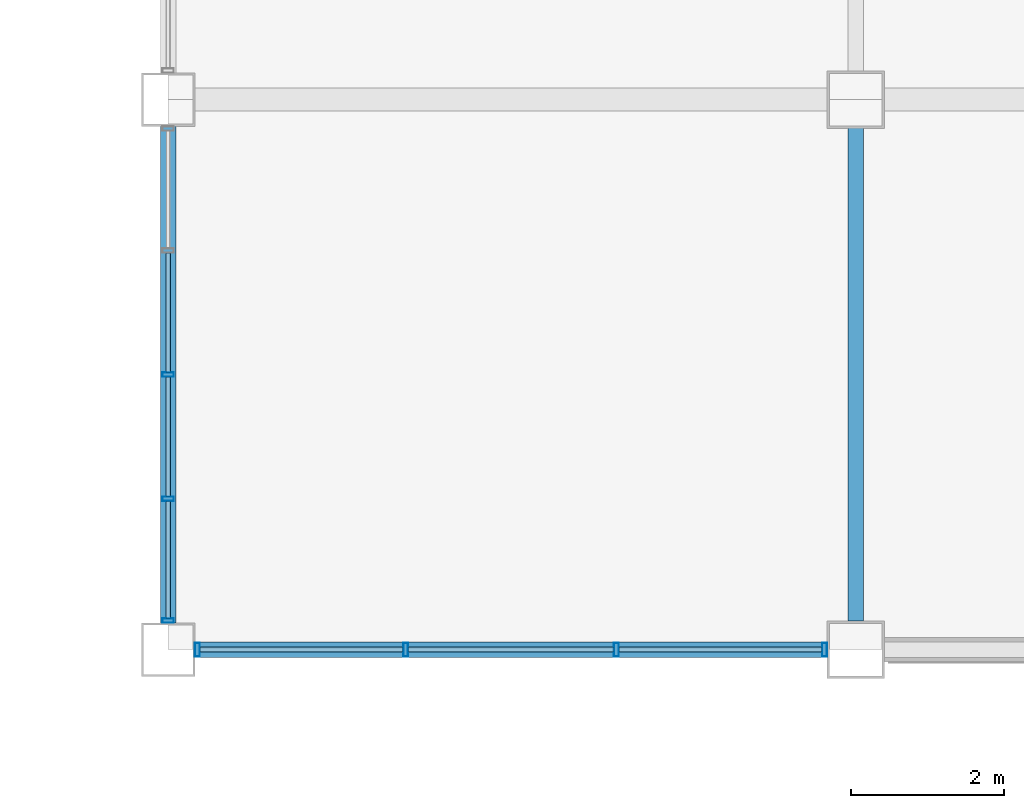
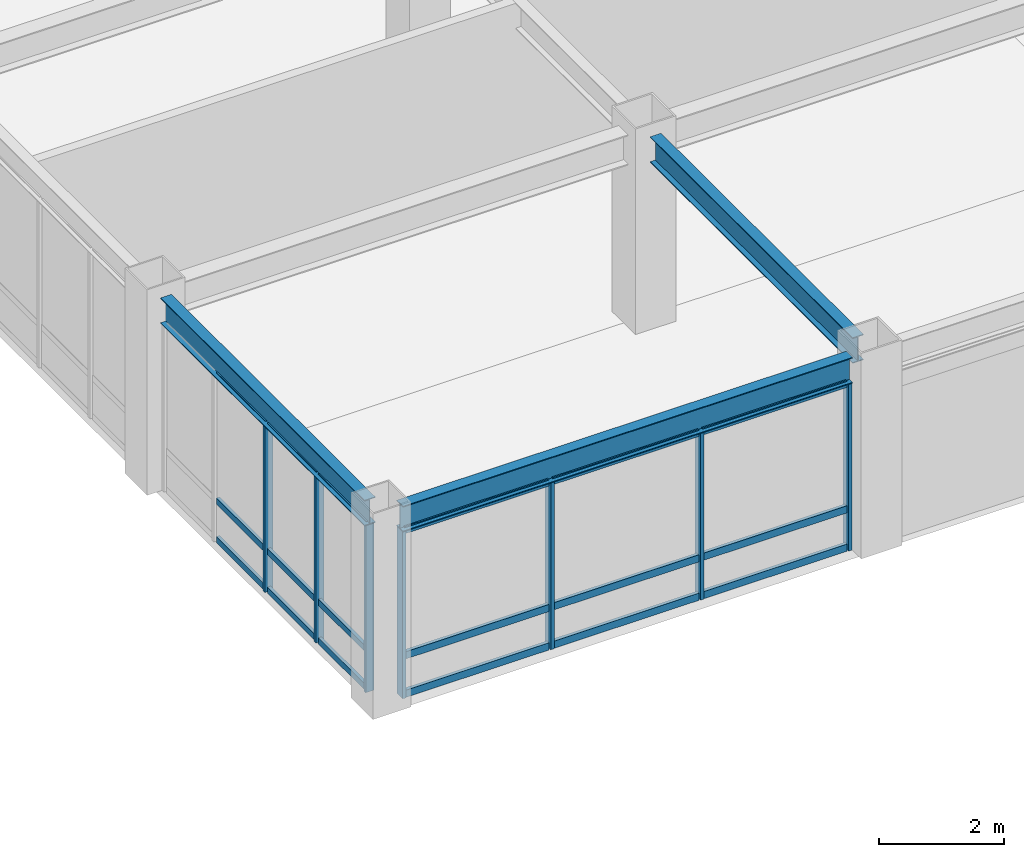
# One storey, part 47 of 122: 25 members, 3 beams, 2 elements without a shape of their own.
"""IFC4 building model written with IfcOpenShell, lengths in metres."""

from ifc_helpers import new_model, si_unit, direction, frame, origin, origin_2d, place, context, subcontext, project, spatial, hollow_rectangle, i_section, extrude, material, material_profile, profile_set, type_object, element, aggregate, save


model = new_model("IFC4")

# Units and contexts
model_context = context("Model", 3, precision=1e-05, world=origin(), true_north=direction((0.0, 1.0)))
body_context = subcontext(model_context, "Body", "Model", "MODEL_VIEW")
ifc_project = project(units=[si_unit("LENGTHUNIT", "METRE"), si_unit("AREAUNIT", "SQUARE_METRE"), si_unit("VOLUMEUNIT", "CUBIC_METRE"), si_unit("PLANEANGLEUNIT", "RADIAN"), si_unit("MASSUNIT", "GRAM", prefix="KILO")], contexts=[model_context])

# Site, building, storey
site_placement = place(None, origin())
site = spatial("IfcSite", under=ifc_project, at=site_placement, CompositionType="ELEMENT")
building_placement = place(site_placement, origin())
building = spatial("IfcBuilding", under=site, at=building_placement, Name="Kazanami Central Library", CompositionType="ELEMENT")
storey_placement = place(building_placement, frame((0.0, 0.0, 4.800048828125)))
storey = spatial("IfcBuildingStorey", under=building, at=storey_placement, Name="L02", CompositionType="ELEMENT", Elevation=4.800048828125)

# Beams
ifc_material_1 = material(Name="Steel SN490B (325 MPa)", Category="steel")
ifc_material_profile_1 = material_profile(ifc_material_1, i_section(OverallWidth=0.199951171875, OverallDepth=0.5, WebThickness=0.010009765625, FlangeThickness=0.01611328125, at=origin_2d()), Name="H-500x200x10x16")
ifc_profile_set_1 = profile_set([ifc_material_profile_1], Name="Steel SN490B (325 MPa)")
beam_type_1 = type_object("IfcBeamType", Name="BM-G-Y2", PredefinedType="BEAM", material=ifc_profile_set_1)
beam_1_placement = place(storey_placement, frame((126.0, 43.572998046875, 3.5048828125), z_axis=(0.0, 1.0, 0.0), x_axis=(-1.0, 0.0, 0.0)))
element("IfcBeam", 1, at=beam_1_placement, inside=storey, type_object=beam_type_1, Name="Girder G-Y2 L02 15/G-H", PredefinedType="BEAM", context=body_context, shape_type="SweptSolid", body=[
    extrude(i_section(OverallWidth=0.199951171875, OverallDepth=0.5, WebThickness=0.010009765625, FlangeThickness=0.01611328125, at=origin_2d()), origin(), (0.0, 0.0, 1.0), 6.4541015625),
])
ifc_material_profile_2 = material_profile(ifc_material_1, i_section(OverallWidth=0.199951171875, OverallDepth=0.5, WebThickness=0.010009765625, FlangeThickness=0.01611328125, at=origin_2d()), Name="H-500x200x10x16")
ifc_profile_set_2 = profile_set([ifc_material_profile_2], Name="Steel SN490B (325 MPa)")
beam_type_2 = type_object("IfcBeamType", Name="BM-SP-1", PredefinedType="SPANDREL", material=ifc_profile_set_2)
beam_2_placement = place(storey_placement, frame((117.347900390625, 43.199951171875, 3.5048828125), z_axis=(1.0, 0.0, 0.0), x_axis=(0.0, 1.0, 0.0)))
element("IfcBeam", 2, at=beam_2_placement, inside=storey, type_object=beam_type_2, Name="Girder SP-1 L02 G/14-15", PredefinedType="SPANDREL", context=body_context, shape_type="SweptSolid", body=[
    extrude(i_section(OverallWidth=0.199951171875, OverallDepth=0.5, WebThickness=0.010009765625, FlangeThickness=0.01611328125, at=origin_2d()), origin(), (0.0, 0.0, 1.0), 8.279052734375),
])
beam_3_placement = place(storey_placement, frame((117.0, 43.548095703125, 3.5048828125), z_axis=(0.0, 1.0, 0.0), x_axis=(-1.0, 0.0, 0.0)))
element("IfcBeam", 3, at=beam_3_placement, inside=storey, type_object=beam_type_2, Name="Girder SP-1 L02 14/G-H", PredefinedType="SPANDREL", context=body_context, shape_type="SweptSolid", body=[
    extrude(i_section(OverallWidth=0.199951171875, OverallDepth=0.5, WebThickness=0.010009765625, FlangeThickness=0.01611328125, at=origin_2d()), origin(), (0.0, 0.0, 1.0), 6.50390625),
])

# Curtain wall, members
ifc_material_2 = material(Name="Acid-Etched Low-E Laminated Glass", Category="glass")
curtain_wall_type_1 = type_object("IfcCurtainWallType", Name="CW-8275x3255-M275", PredefinedType="USERDEFINED", material=ifc_material_2)
curtain_wall_1_placement = place(storey_placement, origin())
curtain_wall_1 = element("IfcCurtainWall", 4, at=curtain_wall_1_placement, inside=storey, type_object=curtain_wall_type_1, Name="Unitised Curtain Wall CW-14 L02 S-G-13", ObjectType="UNITISED CURTAIN WALL", PredefinedType="USERDEFINED")
ifc_material_3 = material(Name="Anodised Aluminium A6063-T5", Category="aluminium")
ifc_material_profile_3 = material_profile(ifc_material_3, hollow_rectangle(XDim=0.06494140625, YDim=0.179931640625, WallThickness=0.00390625, at=origin_2d()), Name="ALU-MULL-65x180x4")
ifc_profile_set_3 = profile_set([ifc_material_profile_3], Name="Anodised Aluminium A6063-T5")
member_type_1 = type_object("IfcMemberType", Name="MEM-CW-M2", PredefinedType="MULLION", material=ifc_profile_set_3)
member_1_placement = place(storey_placement, frame((117.382568359375, 43.199951171875, 0.0), z_axis=(0.0, 0.0, 1.0), x_axis=(1.0, 0.0, 0.0)))
member_1 = element("IfcMember", 5, at=member_1_placement, type_object=member_type_1, Name="CW-14 mullion 1", PredefinedType="MULLION", context=body_context, shape_type="SweptSolid", body=[
    extrude(hollow_rectangle(XDim=0.06494140625, YDim=0.179931640625, WallThickness=0.00390625, at=origin_2d()), origin(), (0.0, 0.0, 1.0), 3.2548828125),
])
member_2_placement = place(storey_placement, frame((120.1083984375, 43.199951171875, 0.0), z_axis=(0.0, 0.0, 1.0), x_axis=(1.0, 0.0, 0.0)))
member_2 = element("IfcMember", 6, at=member_2_placement, type_object=member_type_1, Name="CW-14 mullion 2", PredefinedType="MULLION", context=body_context, shape_type="SweptSolid", body=[
    extrude(hollow_rectangle(XDim=0.06494140625, YDim=0.179931640625, WallThickness=0.00390625, at=origin_2d()), origin(), (0.0, 0.0, 1.0), 3.2548828125),
])
member_3_placement = place(storey_placement, frame((122.86669921875, 43.199951171875, 0.0), z_axis=(0.0, 0.0, 1.0), x_axis=(1.0, 0.0, 0.0)))
member_3 = element("IfcMember", 7, at=member_3_placement, type_object=member_type_1, Name="CW-14 mullion 3", PredefinedType="MULLION", context=body_context, shape_type="SweptSolid", body=[
    extrude(hollow_rectangle(XDim=0.06494140625, YDim=0.179931640625, WallThickness=0.00390625, at=origin_2d()), origin(), (0.0, 0.0, 1.0), 3.2548828125),
])
member_4_placement = place(storey_placement, frame((125.592529296875, 43.199951171875, 0.0), z_axis=(0.0, 0.0, 1.0), x_axis=(1.0, 0.0, 0.0)))
member_4 = element("IfcMember", 8, at=member_4_placement, type_object=member_type_1, Name="CW-14 mullion 4", PredefinedType="MULLION", context=body_context, shape_type="SweptSolid", body=[
    extrude(hollow_rectangle(XDim=0.06494140625, YDim=0.179931640625, WallThickness=0.00390625, at=origin_2d()), origin(), (0.0, 0.0, 1.0), 3.2548828125),
])

curtain_wall_type_2 = type_object("IfcCurtainWallType", Name="CW-6500x3255-M180", PredefinedType="USERDEFINED", material=ifc_material_2)
curtain_wall_2_placement = place(storey_placement, origin())
curtain_wall_2 = element("IfcCurtainWall", 9, at=curtain_wall_2_placement, inside=storey, type_object=curtain_wall_type_2, Name="Covered Link Bridge Curtain Wall CW-23 L02 W-14-06", ObjectType="UNITISED CURTAIN WALL", PredefinedType="USERDEFINED")
ifc_material_profile_4 = material_profile(ifc_material_3, hollow_rectangle(XDim=0.06005859375, YDim=0.14990234375, WallThickness=0.00390625, at=origin_2d()), Name="ALU-MULL-60x150x4")
ifc_profile_set_4 = profile_set([ifc_material_profile_4], Name="Anodised Aluminium A6063-T5")
member_type_2 = type_object("IfcMemberType", Name="MEM-CW-M3", PredefinedType="MULLION", material=ifc_profile_set_4)
member_5_placement = place(storey_placement, frame((117.0, 43.580078125, 0.0), z_axis=(0.0, 0.0, 1.0), x_axis=(0.0, 1.0, 0.0)))
member_5 = element("IfcMember", 10, at=member_5_placement, type_object=member_type_2, Name="CW-23 mullion 1", PredefinedType="MULLION", context=body_context, shape_type="SweptSolid", body=[
    extrude(hollow_rectangle(XDim=0.06005859375, YDim=0.14990234375, WallThickness=0.00390625, at=origin_2d()), origin(), (0.0, 0.0, 1.0), 3.2548828125),
])
member_6_placement = place(storey_placement, frame((117.0, 45.175048828125, 0.0), z_axis=(0.0, 0.0, 1.0), x_axis=(0.0, 1.0, 0.0)))
member_6 = element("IfcMember", 11, at=member_6_placement, type_object=member_type_2, Name="CW-23 mullion 2", PredefinedType="MULLION", context=body_context, shape_type="SweptSolid", body=[
    extrude(hollow_rectangle(XDim=0.06005859375, YDim=0.14990234375, WallThickness=0.00390625, at=origin_2d()), origin(), (0.0, 0.0, 1.0), 3.2548828125),
])
member_7_placement = place(storey_placement, frame((117.0, 46.800048828125, 0.0), z_axis=(0.0, 0.0, 1.0), x_axis=(0.0, 1.0, 0.0)))
member_7 = element("IfcMember", 12, at=member_7_placement, type_object=member_type_2, Name="CW-23 mullion 3", PredefinedType="MULLION", context=body_context, shape_type="SweptSolid", body=[
    extrude(hollow_rectangle(XDim=0.06005859375, YDim=0.14990234375, WallThickness=0.00390625, at=origin_2d()), origin(), (0.0, 0.0, 1.0), 3.2548828125),
])

# Member
ifc_material_profile_5 = material_profile(ifc_material_3, hollow_rectangle(XDim=0.06494140625, YDim=0.139892578125, WallThickness=0.00390625, at=origin_2d()), Name="ALU-TRAN-65x140x4")
ifc_profile_set_5 = profile_set([ifc_material_profile_5], Name="Anodised Aluminium A6063-T5")
member_type_3 = type_object("IfcMemberType", Name="MEM-CW-T2", PredefinedType="USERDEFINED", material=ifc_profile_set_5)
member_8_placement = place(storey_placement, frame((117.4150390625, 43.199951171875, 0.032470703125), z_axis=(1.0, 0.0, 0.0), x_axis=(0.0, 1.0, 0.0)))
member_8 = element("IfcMember", 13, at=member_8_placement, type_object=member_type_3, Name="CW-14 transom 1.1", ObjectType="TRANSOM", PredefinedType="USERDEFINED", context=body_context, shape_type="SweptSolid", body=[
    extrude(hollow_rectangle(XDim=0.06494140625, YDim=0.139892578125, WallThickness=0.00390625, at=origin_2d()), origin(), (0.0, 0.0, 1.0), 2.660888671875),
])

member_9_placement = place(storey_placement, frame((117.4150390625, 43.199951171875, 0.780029296875), z_axis=(1.0, 0.0, 0.0), x_axis=(0.0, 1.0, 0.0)))
member_9 = element("IfcMember", 14, at=member_9_placement, type_object=member_type_3, Name="CW-14 transom 1.2", ObjectType="TRANSOM", PredefinedType="USERDEFINED", context=body_context, shape_type="SweptSolid", body=[
    extrude(hollow_rectangle(XDim=0.06494140625, YDim=0.139892578125, WallThickness=0.00390625, at=origin_2d()), origin(), (0.0, 0.0, 1.0), 2.660888671875),
])

member_10_placement = place(storey_placement, frame((117.4150390625, 43.199951171875, 3.222412109375), z_axis=(1.0, 0.0, 0.0), x_axis=(0.0, 1.0, 0.0)))
member_10 = element("IfcMember", 15, at=member_10_placement, type_object=member_type_3, Name="CW-14 transom 1.3", ObjectType="TRANSOM", PredefinedType="USERDEFINED", context=body_context, shape_type="SweptSolid", body=[
    extrude(hollow_rectangle(XDim=0.06494140625, YDim=0.139892578125, WallThickness=0.00390625, at=origin_2d()), origin(), (0.0, 0.0, 1.0), 2.660888671875),
])

member_11_placement = place(storey_placement, frame((120.140869140625, 43.199951171875, 0.032470703125), z_axis=(1.0, 0.0, 0.0), x_axis=(0.0, 1.0, 0.0)))
member_11 = element("IfcMember", 16, at=member_11_placement, type_object=member_type_3, Name="CW-14 transom 2.1", ObjectType="TRANSOM", PredefinedType="USERDEFINED", context=body_context, shape_type="SweptSolid", body=[
    extrude(hollow_rectangle(XDim=0.06494140625, YDim=0.139892578125, WallThickness=0.00390625, at=origin_2d()), origin(), (0.0, 0.0, 1.0), 2.693359375),
])

member_12_placement = place(storey_placement, frame((120.140869140625, 43.199951171875, 0.780029296875), z_axis=(1.0, 0.0, 0.0), x_axis=(0.0, 1.0, 0.0)))
member_12 = element("IfcMember", 17, at=member_12_placement, type_object=member_type_3, Name="CW-14 transom 2.2", ObjectType="TRANSOM", PredefinedType="USERDEFINED", context=body_context, shape_type="SweptSolid", body=[
    extrude(hollow_rectangle(XDim=0.06494140625, YDim=0.139892578125, WallThickness=0.00390625, at=origin_2d()), origin(), (0.0, 0.0, 1.0), 2.693359375),
])

member_13_placement = place(storey_placement, frame((120.140869140625, 43.199951171875, 3.222412109375), z_axis=(1.0, 0.0, 0.0), x_axis=(0.0, 1.0, 0.0)))
member_13 = element("IfcMember", 18, at=member_13_placement, type_object=member_type_3, Name="CW-14 transom 2.3", ObjectType="TRANSOM", PredefinedType="USERDEFINED", context=body_context, shape_type="SweptSolid", body=[
    extrude(hollow_rectangle(XDim=0.06494140625, YDim=0.139892578125, WallThickness=0.00390625, at=origin_2d()), origin(), (0.0, 0.0, 1.0), 2.693359375),
])

member_14_placement = place(storey_placement, frame((122.899169921875, 43.199951171875, 0.032470703125), z_axis=(1.0, 0.0, 0.0), x_axis=(0.0, 1.0, 0.0)))
member_14 = element("IfcMember", 19, at=member_14_placement, type_object=member_type_3, Name="CW-14 transom 3.1", ObjectType="TRANSOM", PredefinedType="USERDEFINED", context=body_context, shape_type="SweptSolid", body=[
    extrude(hollow_rectangle(XDim=0.06494140625, YDim=0.139892578125, WallThickness=0.00390625, at=origin_2d()), origin(), (0.0, 0.0, 1.0), 2.660888671875),
])

member_15_placement = place(storey_placement, frame((122.899169921875, 43.199951171875, 0.780029296875), z_axis=(1.0, 0.0, 0.0), x_axis=(0.0, 1.0, 0.0)))
member_15 = element("IfcMember", 20, at=member_15_placement, type_object=member_type_3, Name="CW-14 transom 3.2", ObjectType="TRANSOM", PredefinedType="USERDEFINED", context=body_context, shape_type="SweptSolid", body=[
    extrude(hollow_rectangle(XDim=0.06494140625, YDim=0.139892578125, WallThickness=0.00390625, at=origin_2d()), origin(), (0.0, 0.0, 1.0), 2.660888671875),
])

member_16_placement = place(storey_placement, frame((122.899169921875, 43.199951171875, 3.222412109375), z_axis=(1.0, 0.0, 0.0), x_axis=(0.0, 1.0, 0.0)))
member_16 = element("IfcMember", 21, at=member_16_placement, type_object=member_type_3, Name="CW-14 transom 3.3", ObjectType="TRANSOM", PredefinedType="USERDEFINED", context=body_context, shape_type="SweptSolid", body=[
    extrude(hollow_rectangle(XDim=0.06494140625, YDim=0.139892578125, WallThickness=0.00390625, at=origin_2d()), origin(), (0.0, 0.0, 1.0), 2.660888671875),
])

aggregate(curtain_wall_1, [member_1, member_2, member_3, member_4, member_8, member_9, member_10, member_11, member_12, member_13, member_14, member_15, member_16])

ifc_material_profile_6 = material_profile(ifc_material_3, hollow_rectangle(XDim=0.06005859375, YDim=0.1201171875, WallThickness=0.00341796875, at=origin_2d()), Name="ALU-TRAN-60x120x3.5")
ifc_profile_set_6 = profile_set([ifc_material_profile_6], Name="Anodised Aluminium A6063-T5")
member_type_4 = type_object("IfcMemberType", Name="MEM-CW-T3", PredefinedType="USERDEFINED", material=ifc_profile_set_6)
member_17_placement = place(storey_placement, frame((117.0, 43.610107421875, 0.030029296875), z_axis=(0.0, 1.0, 0.0), x_axis=(-1.0, 0.0, 0.0)))
member_17 = element("IfcMember", 22, at=member_17_placement, type_object=member_type_4, Name="CW-23 transom 1.1", ObjectType="TRANSOM", PredefinedType="USERDEFINED", context=body_context, shape_type="SweptSolid", body=[
    extrude(hollow_rectangle(XDim=0.06005859375, YDim=0.1201171875, WallThickness=0.00341796875, at=origin_2d()), origin(), (0.0, 0.0, 1.0), 1.534912109375),
])

member_18_placement = place(storey_placement, frame((117.0, 43.610107421875, 0.780029296875), z_axis=(0.0, 1.0, 0.0), x_axis=(-1.0, 0.0, 0.0)))
member_18 = element("IfcMember", 23, at=member_18_placement, type_object=member_type_4, Name="CW-23 transom 1.2", ObjectType="TRANSOM", PredefinedType="USERDEFINED", context=body_context, shape_type="SweptSolid", body=[
    extrude(hollow_rectangle(XDim=0.06005859375, YDim=0.1201171875, WallThickness=0.00341796875, at=origin_2d()), origin(), (0.0, 0.0, 1.0), 1.534912109375),
])

member_19_placement = place(storey_placement, frame((117.0, 43.610107421875, 3.224853515625), z_axis=(0.0, 1.0, 0.0), x_axis=(-1.0, 0.0, 0.0)))
member_19 = element("IfcMember", 24, at=member_19_placement, type_object=member_type_4, Name="CW-23 transom 1.3", ObjectType="TRANSOM", PredefinedType="USERDEFINED", context=body_context, shape_type="SweptSolid", body=[
    extrude(hollow_rectangle(XDim=0.06005859375, YDim=0.1201171875, WallThickness=0.00341796875, at=origin_2d()), origin(), (0.0, 0.0, 1.0), 1.534912109375),
])

member_20_placement = place(storey_placement, frame((117.0, 45.205078125, 0.030029296875), z_axis=(0.0, 1.0, 0.0), x_axis=(-1.0, 0.0, 0.0)))
member_20 = element("IfcMember", 25, at=member_20_placement, type_object=member_type_4, Name="CW-23 transom 2.1", ObjectType="TRANSOM", PredefinedType="USERDEFINED", context=body_context, shape_type="SweptSolid", body=[
    extrude(hollow_rectangle(XDim=0.06005859375, YDim=0.1201171875, WallThickness=0.00341796875, at=origin_2d()), origin(), (0.0, 0.0, 1.0), 1.56494140625),
])

member_21_placement = place(storey_placement, frame((117.0, 45.205078125, 0.780029296875), z_axis=(0.0, 1.0, 0.0), x_axis=(-1.0, 0.0, 0.0)))
member_21 = element("IfcMember", 26, at=member_21_placement, type_object=member_type_4, Name="CW-23 transom 2.2", ObjectType="TRANSOM", PredefinedType="USERDEFINED", context=body_context, shape_type="SweptSolid", body=[
    extrude(hollow_rectangle(XDim=0.06005859375, YDim=0.1201171875, WallThickness=0.00341796875, at=origin_2d()), origin(), (0.0, 0.0, 1.0), 1.56494140625),
])

member_22_placement = place(storey_placement, frame((117.0, 45.205078125, 3.224853515625), z_axis=(0.0, 1.0, 0.0), x_axis=(-1.0, 0.0, 0.0)))
member_22 = element("IfcMember", 27, at=member_22_placement, type_object=member_type_4, Name="CW-23 transom 2.3", ObjectType="TRANSOM", PredefinedType="USERDEFINED", context=body_context, shape_type="SweptSolid", body=[
    extrude(hollow_rectangle(XDim=0.06005859375, YDim=0.1201171875, WallThickness=0.00341796875, at=origin_2d()), origin(), (0.0, 0.0, 1.0), 1.56494140625),
])

member_23_placement = place(storey_placement, frame((117.0, 46.830078125, 0.030029296875), z_axis=(0.0, 1.0, 0.0), x_axis=(-1.0, 0.0, 0.0)))
member_23 = element("IfcMember", 28, at=member_23_placement, type_object=member_type_4, Name="CW-23 transom 3.1", ObjectType="TRANSOM", PredefinedType="USERDEFINED", context=body_context, shape_type="SweptSolid", body=[
    extrude(hollow_rectangle(XDim=0.06005859375, YDim=0.1201171875, WallThickness=0.00341796875, at=origin_2d()), origin(), (0.0, 0.0, 1.0), 1.56494140625),
])

member_24_placement = place(storey_placement, frame((117.0, 46.830078125, 0.780029296875), z_axis=(0.0, 1.0, 0.0), x_axis=(-1.0, 0.0, 0.0)))
member_24 = element("IfcMember", 29, at=member_24_placement, type_object=member_type_4, Name="CW-23 transom 3.2", ObjectType="TRANSOM", PredefinedType="USERDEFINED", context=body_context, shape_type="SweptSolid", body=[
    extrude(hollow_rectangle(XDim=0.06005859375, YDim=0.1201171875, WallThickness=0.00341796875, at=origin_2d()), origin(), (0.0, 0.0, 1.0), 1.56494140625),
])

member_25_placement = place(storey_placement, frame((117.0, 46.830078125, 3.224853515625), z_axis=(0.0, 1.0, 0.0), x_axis=(-1.0, 0.0, 0.0)))
member_25 = element("IfcMember", 30, at=member_25_placement, type_object=member_type_4, Name="CW-23 transom 3.3", ObjectType="TRANSOM", PredefinedType="USERDEFINED", context=body_context, shape_type="SweptSolid", body=[
    extrude(hollow_rectangle(XDim=0.06005859375, YDim=0.1201171875, WallThickness=0.00341796875, at=origin_2d()), origin(), (0.0, 0.0, 1.0), 1.56494140625),
])

aggregate(curtain_wall_2, [member_5, member_6, member_7, member_17, member_18, member_19, member_20, member_21, member_22, member_23, member_24, member_25])

save(model, "model.ifc")
